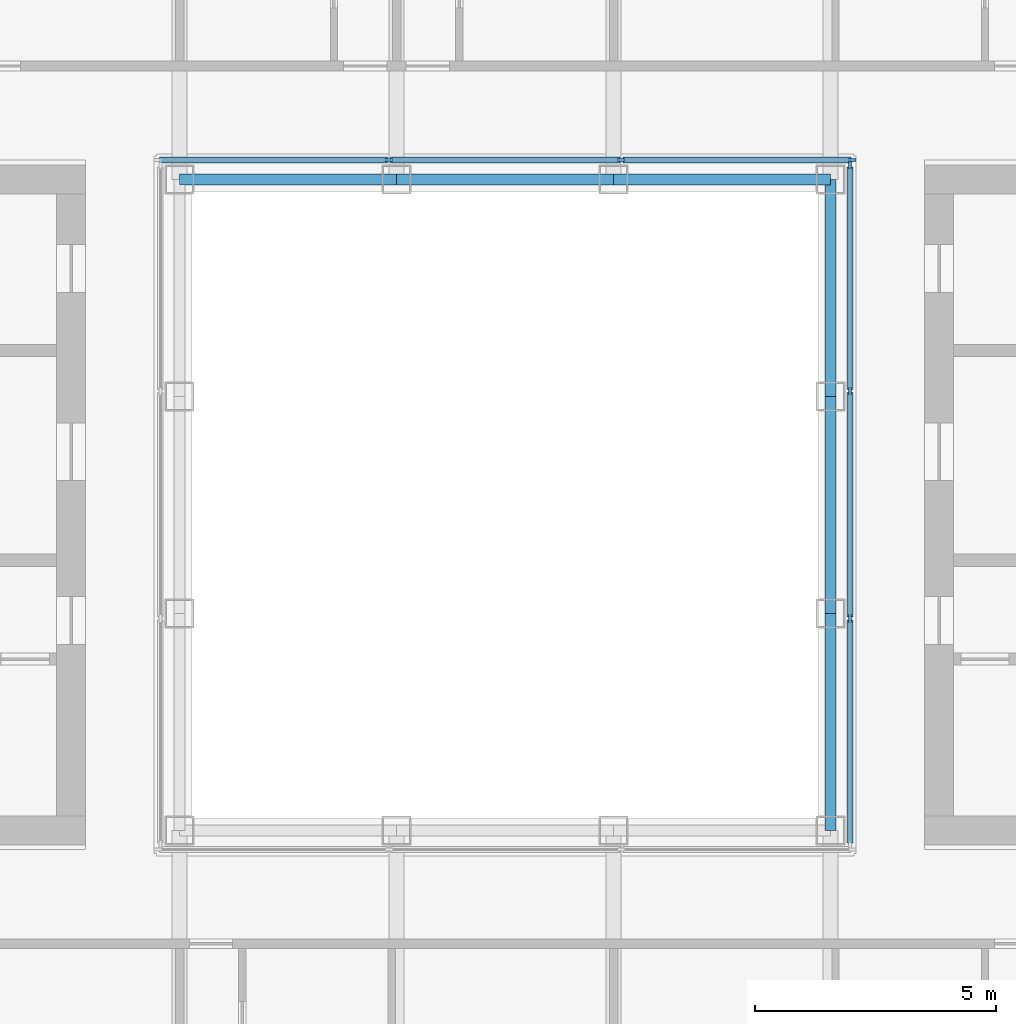
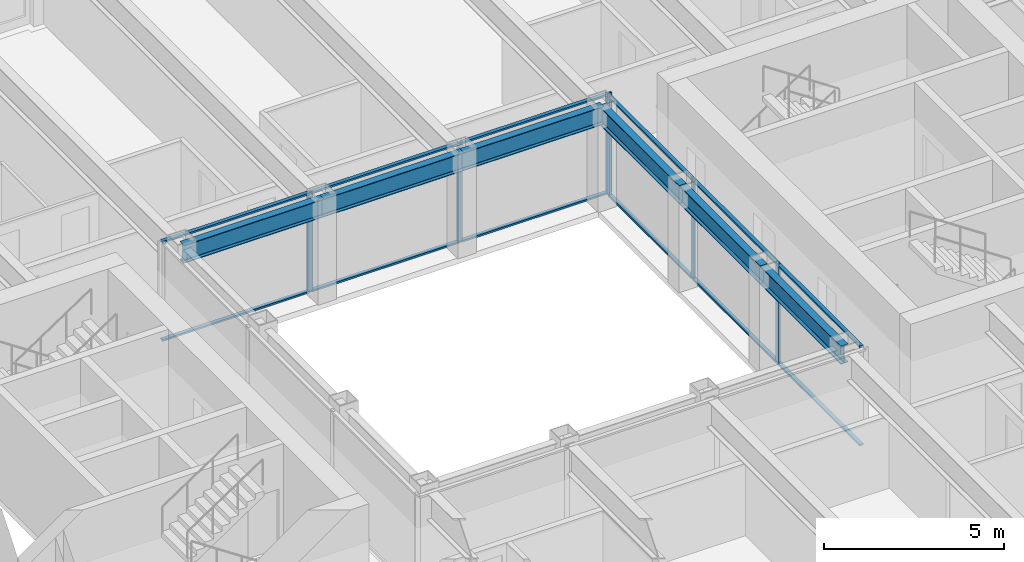
# One storey, part 5 of 17: 18 members, 6 beams, 2 elements without a shape of their own.
"""IFC4 building model written with IfcOpenShell, lengths in metres."""

from ifc_helpers import new_model, si_unit, direction, frame, origin, origin_2d, place, context, subcontext, project, spatial, rectangle, i_section, extrude, material, material_profile, profile_set, type_object, element, aggregate, save


model = new_model("IFC4")

# Units and contexts
model_context = context("Model", 3, precision=1e-05, world=origin(), true_north=direction((0.0, 1.0)))
body_context = subcontext(model_context, "Body", "Model", "MODEL_VIEW")
ifc_project = project(units=[si_unit("LENGTHUNIT", "METRE"), si_unit("AREAUNIT", "SQUARE_METRE"), si_unit("VOLUMEUNIT", "CUBIC_METRE"), si_unit("PLANEANGLEUNIT", "RADIAN"), si_unit("MASSUNIT", "GRAM", prefix="KILO")], contexts=[model_context])

# Site, building, storey
site_placement = place(None, origin())
site = spatial("IfcSite", under=ifc_project, at=site_placement, CompositionType="ELEMENT")
building_placement = place(site_placement, origin())
building = spatial("IfcBuilding", under=site, at=building_placement, Name="Msasa Ring Tower", CompositionType="ELEMENT")
storey_placement = place(building_placement, frame((0.0, 0.0, 179.60009765625)))
storey = spatial("IfcBuildingStorey", under=building, at=storey_placement, Name="L47", CompositionType="ELEMENT", Elevation=179.60009765625)

# Curtain wall, members
ifc_material_1 = material(Name="Aluminium curtain wall with clear glass", Category="aluminium")
curtain_wall_type = type_object("IfcCurtainWallType", Name="CW-W LIGHT WELL CURTAIN WALL", PredefinedType="NOTDEFINED", material=ifc_material_1)
curtain_wall_1_placement = place(storey_placement, origin())
curtain_wall_1 = element("IfcCurtainWall", 1, at=curtain_wall_1_placement, inside=storey, type_object=curtain_wall_type, Name="Light well curtain wall N L47", PredefinedType="NOTDEFINED")
ifc_material_2 = material(Name="Aluminium mullion", Category="aluminium")
ifc_material_profile_1 = material_profile(ifc_material_2, rectangle(XDim=0.06005859375, YDim=0.159912109375, at=origin_2d()), Name="AL 60x160")
ifc_profile_set_1 = profile_set([ifc_material_profile_1], Name="Aluminium mullion")
member_type_1 = type_object("IfcMemberType", Name="CW-W MULLION 60x160", PredefinedType="MULLION", material=ifc_profile_set_1)
member_1_placement = place(storey_placement, frame((-2.409912109375, 7.14990234375, 0.0), z_axis=(0.0, 0.0, 1.0), x_axis=(0.0, 1.0, 0.0)))
member_1 = element("IfcMember", 2, at=member_1_placement, type_object=member_type_1, Name="CW-W mullion 2", PredefinedType="MULLION", context=body_context, shape_type="SweptSolid", body=[
    extrude(rectangle(XDim=0.06005859375, YDim=0.159912109375, at=origin_2d()), origin(), (0.0, 0.0, 1.0), 3.39990234375),
])
member_2_placement = place(storey_placement, frame((2.409912109375, 7.14990234375, 0.0), z_axis=(0.0, 0.0, 1.0), x_axis=(0.0, 1.0, 0.0)))
member_2 = element("IfcMember", 3, at=member_2_placement, type_object=member_type_1, Name="CW-W mullion 3", PredefinedType="MULLION", context=body_context, shape_type="SweptSolid", body=[
    extrude(rectangle(XDim=0.06005859375, YDim=0.159912109375, at=origin_2d()), origin(), (0.0, 0.0, 1.0), 3.39990234375),
])
member_3_placement = place(storey_placement, frame((7.199951171875, 7.14990234375, 0.0), z_axis=(0.0, 0.0, 1.0), x_axis=(0.0, 1.0, 0.0)))
member_3 = element("IfcMember", 4, at=member_3_placement, type_object=member_type_1, Name="CW-W mullion 4", PredefinedType="MULLION", context=body_context, shape_type="SweptSolid", body=[
    extrude(rectangle(XDim=0.06005859375, YDim=0.159912109375, at=origin_2d()), origin(), (0.0, 0.0, 1.0), 3.39990234375),
])

curtain_wall_2_placement = place(storey_placement, origin())
curtain_wall_2 = element("IfcCurtainWall", 5, at=curtain_wall_2_placement, inside=storey, type_object=curtain_wall_type, Name="Light well curtain wall E L47", PredefinedType="NOTDEFINED")
member_4_placement = place(storey_placement, frame((7.14990234375, -2.356689453125, 0.0), z_axis=(0.0, 0.0, 1.0), x_axis=(-1.0, 0.0, 0.0)))
member_4 = element("IfcMember", 6, at=member_4_placement, type_object=member_type_1, Name="CW-W mullion 2", PredefinedType="MULLION", context=body_context, shape_type="SweptSolid", body=[
    extrude(rectangle(XDim=0.06005859375, YDim=0.159912109375, at=origin_2d()), origin(), (0.0, 0.0, 1.0), 3.39990234375),
])
member_5_placement = place(storey_placement, frame((7.14990234375, 2.356689453125, 0.0), z_axis=(0.0, 0.0, 1.0), x_axis=(-1.0, 0.0, 0.0)))
member_5 = element("IfcMember", 7, at=member_5_placement, type_object=member_type_1, Name="CW-W mullion 3", PredefinedType="MULLION", context=body_context, shape_type="SweptSolid", body=[
    extrude(rectangle(XDim=0.06005859375, YDim=0.159912109375, at=origin_2d()), origin(), (0.0, 0.0, 1.0), 3.39990234375),
])
member_6_placement = place(storey_placement, frame((7.14990234375, 7.0400390625, 0.0), z_axis=(0.0, 0.0, 1.0), x_axis=(-1.0, 0.0, 0.0)))
member_6 = element("IfcMember", 8, at=member_6_placement, type_object=member_type_1, Name="CW-W mullion 4", PredefinedType="MULLION", context=body_context, shape_type="SweptSolid", body=[
    extrude(rectangle(XDim=0.06005859375, YDim=0.159912109375, at=origin_2d()), origin(), (0.0, 0.0, 1.0), 3.39990234375),
])

# Member
ifc_material_3 = material(Name="Aluminium transom", Category="aluminium")
ifc_material_profile_2 = material_profile(ifc_material_3, rectangle(XDim=0.1201171875, YDim=0.06005859375, at=origin_2d()), Name="AL 60x120")
ifc_profile_set_2 = profile_set([ifc_material_profile_2], Name="Aluminium transom")
member_type_2 = type_object("IfcMemberType", Name="CW-W TRANSOM 60x120", PredefinedType="USERDEFINED", material=ifc_profile_set_2)
member_7_placement = place(storey_placement, frame((-7.169921875, 7.14990234375, 0.02978515625), z_axis=(1.0, 0.0, 0.0), x_axis=(0.0, 1.0, 0.0)))
member_7 = element("IfcMember", 9, at=member_7_placement, type_object=member_type_2, Name="CW-W transom 1.1", ObjectType="TRANSOM", PredefinedType="USERDEFINED", context=body_context, shape_type="SweptSolid", body=[
    extrude(rectangle(XDim=0.1201171875, YDim=0.06005859375, at=origin_2d()), origin(), (0.0, 0.0, 1.0), 4.72998046875),
])

member_8_placement = place(storey_placement, frame((-7.169921875, 7.14990234375, 3.369873046875), z_axis=(1.0, 0.0, 0.0), x_axis=(0.0, 1.0, 0.0)))
member_8 = element("IfcMember", 10, at=member_8_placement, type_object=member_type_2, Name="CW-W transom 1.2", ObjectType="TRANSOM", PredefinedType="USERDEFINED", context=body_context, shape_type="SweptSolid", body=[
    extrude(rectangle(XDim=0.1201171875, YDim=0.06005859375, at=origin_2d()), origin(), (0.0, 0.0, 1.0), 4.72998046875),
])

member_9_placement = place(storey_placement, frame((-2.3798828125, 7.14990234375, 0.02978515625), z_axis=(1.0, 0.0, 0.0), x_axis=(0.0, 1.0, 0.0)))
member_9 = element("IfcMember", 11, at=member_9_placement, type_object=member_type_2, Name="CW-W transom 2.1", ObjectType="TRANSOM", PredefinedType="USERDEFINED", context=body_context, shape_type="SweptSolid", body=[
    extrude(rectangle(XDim=0.1201171875, YDim=0.06005859375, at=origin_2d()), origin(), (0.0, 0.0, 1.0), 4.759765625),
])

member_10_placement = place(storey_placement, frame((-2.3798828125, 7.14990234375, 3.369873046875), z_axis=(1.0, 0.0, 0.0), x_axis=(0.0, 1.0, 0.0)))
member_10 = element("IfcMember", 12, at=member_10_placement, type_object=member_type_2, Name="CW-W transom 2.2", ObjectType="TRANSOM", PredefinedType="USERDEFINED", context=body_context, shape_type="SweptSolid", body=[
    extrude(rectangle(XDim=0.1201171875, YDim=0.06005859375, at=origin_2d()), origin(), (0.0, 0.0, 1.0), 4.759765625),
])

member_11_placement = place(storey_placement, frame((2.43994140625, 7.14990234375, 0.02978515625), z_axis=(1.0, 0.0, 0.0), x_axis=(0.0, 1.0, 0.0)))
member_11 = element("IfcMember", 13, at=member_11_placement, type_object=member_type_2, Name="CW-W transom 3.1", ObjectType="TRANSOM", PredefinedType="USERDEFINED", context=body_context, shape_type="SweptSolid", body=[
    extrude(rectangle(XDim=0.1201171875, YDim=0.06005859375, at=origin_2d()), origin(), (0.0, 0.0, 1.0), 4.72998046875),
])

member_12_placement = place(storey_placement, frame((2.43994140625, 7.14990234375, 3.369873046875), z_axis=(1.0, 0.0, 0.0), x_axis=(0.0, 1.0, 0.0)))
member_12 = element("IfcMember", 14, at=member_12_placement, type_object=member_type_2, Name="CW-W transom 3.2", ObjectType="TRANSOM", PredefinedType="USERDEFINED", context=body_context, shape_type="SweptSolid", body=[
    extrude(rectangle(XDim=0.1201171875, YDim=0.06005859375, at=origin_2d()), origin(), (0.0, 0.0, 1.0), 4.72998046875),
])

aggregate(curtain_wall_1, [member_1, member_2, member_3, member_7, member_8, member_9, member_10, member_11, member_12])

member_13_placement = place(storey_placement, frame((7.14990234375, -7.010009765625, 0.02978515625), z_axis=(0.0, 1.0, 0.0), x_axis=(-1.0, 0.0, 0.0)))
member_13 = element("IfcMember", 15, at=member_13_placement, type_object=member_type_2, Name="CW-W transom 1.1", ObjectType="TRANSOM", PredefinedType="USERDEFINED", context=body_context, shape_type="SweptSolid", body=[
    extrude(rectangle(XDim=0.1201171875, YDim=0.06005859375, at=origin_2d()), origin(), (0.0, 0.0, 1.0), 4.623291015625),
])

member_14_placement = place(storey_placement, frame((7.14990234375, -7.010009765625, 3.369873046875), z_axis=(0.0, 1.0, 0.0), x_axis=(-1.0, 0.0, 0.0)))
member_14 = element("IfcMember", 16, at=member_14_placement, type_object=member_type_2, Name="CW-W transom 1.2", ObjectType="TRANSOM", PredefinedType="USERDEFINED", context=body_context, shape_type="SweptSolid", body=[
    extrude(rectangle(XDim=0.1201171875, YDim=0.06005859375, at=origin_2d()), origin(), (0.0, 0.0, 1.0), 4.623291015625),
])

member_15_placement = place(storey_placement, frame((7.14990234375, -2.32666015625, 0.02978515625), z_axis=(0.0, 1.0, 0.0), x_axis=(-1.0, 0.0, 0.0)))
member_15 = element("IfcMember", 17, at=member_15_placement, type_object=member_type_2, Name="CW-W transom 2.1", ObjectType="TRANSOM", PredefinedType="USERDEFINED", context=body_context, shape_type="SweptSolid", body=[
    extrude(rectangle(XDim=0.1201171875, YDim=0.06005859375, at=origin_2d()), origin(), (0.0, 0.0, 1.0), 4.6533203125),
])

member_16_placement = place(storey_placement, frame((7.14990234375, -2.32666015625, 3.369873046875), z_axis=(0.0, 1.0, 0.0), x_axis=(-1.0, 0.0, 0.0)))
member_16 = element("IfcMember", 18, at=member_16_placement, type_object=member_type_2, Name="CW-W transom 2.2", ObjectType="TRANSOM", PredefinedType="USERDEFINED", context=body_context, shape_type="SweptSolid", body=[
    extrude(rectangle(XDim=0.1201171875, YDim=0.06005859375, at=origin_2d()), origin(), (0.0, 0.0, 1.0), 4.6533203125),
])

member_17_placement = place(storey_placement, frame((7.14990234375, 2.38671875, 0.02978515625), z_axis=(0.0, 1.0, 0.0), x_axis=(-1.0, 0.0, 0.0)))
member_17 = element("IfcMember", 19, at=member_17_placement, type_object=member_type_2, Name="CW-W transom 3.1", ObjectType="TRANSOM", PredefinedType="USERDEFINED", context=body_context, shape_type="SweptSolid", body=[
    extrude(rectangle(XDim=0.1201171875, YDim=0.06005859375, at=origin_2d()), origin(), (0.0, 0.0, 1.0), 4.623291015625),
])

member_18_placement = place(storey_placement, frame((7.14990234375, 2.38671875, 3.369873046875), z_axis=(0.0, 1.0, 0.0), x_axis=(-1.0, 0.0, 0.0)))
member_18 = element("IfcMember", 20, at=member_18_placement, type_object=member_type_2, Name="CW-W transom 3.2", ObjectType="TRANSOM", PredefinedType="USERDEFINED", context=body_context, shape_type="SweptSolid", body=[
    extrude(rectangle(XDim=0.1201171875, YDim=0.06005859375, at=origin_2d()), origin(), (0.0, 0.0, 1.0), 4.623291015625),
])

aggregate(curtain_wall_2, [member_4, member_5, member_6, member_13, member_14, member_15, member_16, member_17, member_18])

# Beams
ifc_material_4 = material(Name="Steel S355", Category="steel")
ifc_material_profile_3 = material_profile(ifc_material_4, i_section(OverallWidth=0.230224609375, OverallDepth=0.6171875, WebThickness=0.01318359375, FlangeThickness=0.022216796875, FilletRadius=0.0126953125, at=origin_2d()), Name="UB 610x229x140")
ifc_profile_set_3 = profile_set([ifc_material_profile_3], Name="Steel S355")
beam_type = type_object("IfcBeamType", Name="RB1 UB 610x229x140", PredefinedType="BEAM", material=ifc_profile_set_3)
for number, where, z_axis, x_axis, name in (
    (21, (6.75, -6.75, 3.09130859375), (0.0, 1.0, 0.0), (-1.0, 0.0, 0.0), "Inner ring beam IR+6.75-6.75 under L48"),
    (22, (6.75, -2.25, 3.09130859375), (0.0, 1.0, 0.0), (-1.0, 0.0, 0.0), "Inner ring beam IR+6.75-2.25 under L48"),
    (23, (6.75, 2.25, 3.09130859375), (0.0, 1.0, 0.0), (-1.0, 0.0, 0.0), "Inner ring beam IR+6.75+2.25 under L48"),
    (24, (6.75, 6.75, 3.09130859375), (-1.0, 0.0, 0.0), (0.0, -1.0, 0.0), "Inner ring beam IR+6.75+6.75 under L48"),
    (25, (2.25, 6.75, 3.09130859375), (-1.0, 0.0, 0.0), (0.0, -1.0, 0.0), "Inner ring beam IR+2.25+6.75 under L48"),
    (26, (-2.25, 6.75, 3.09130859375), (-1.0, 0.0, 0.0), (0.0, -1.0, 0.0), "Inner ring beam IR-2.25+6.75 under L48"),
):
    element("IfcBeam", number, at=place(storey_placement, frame(where, z_axis=z_axis, x_axis=x_axis)), inside=storey, type_object=beam_type, Name=name, PredefinedType="BEAM", context=body_context, shape_type="SweptSolid", body=[
        extrude(i_section(OverallWidth=0.230224609375, OverallDepth=0.6171875, WebThickness=0.01318359375, FlangeThickness=0.022216796875, FilletRadius=0.0126953125, at=origin_2d()), origin(), (0.0, 0.0, 1.0), 4.5),
    ])

save(model, "model.ifc")
